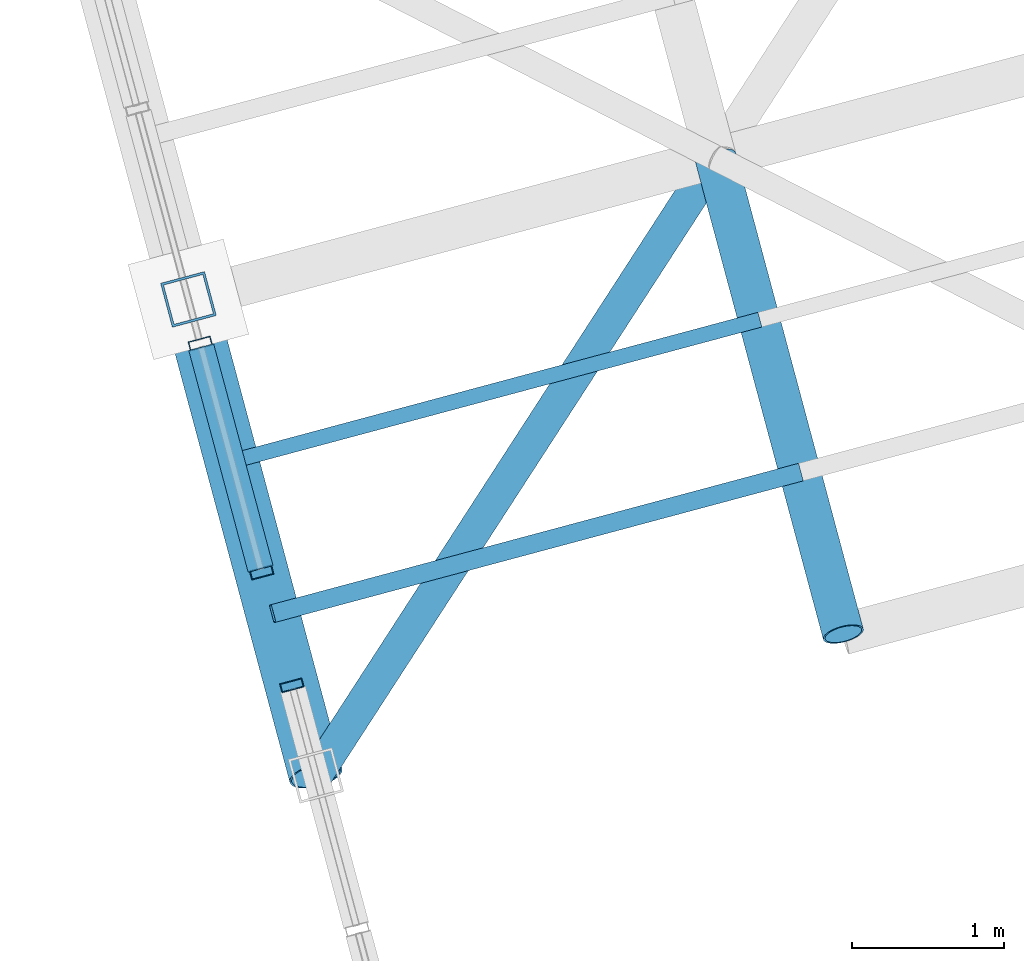
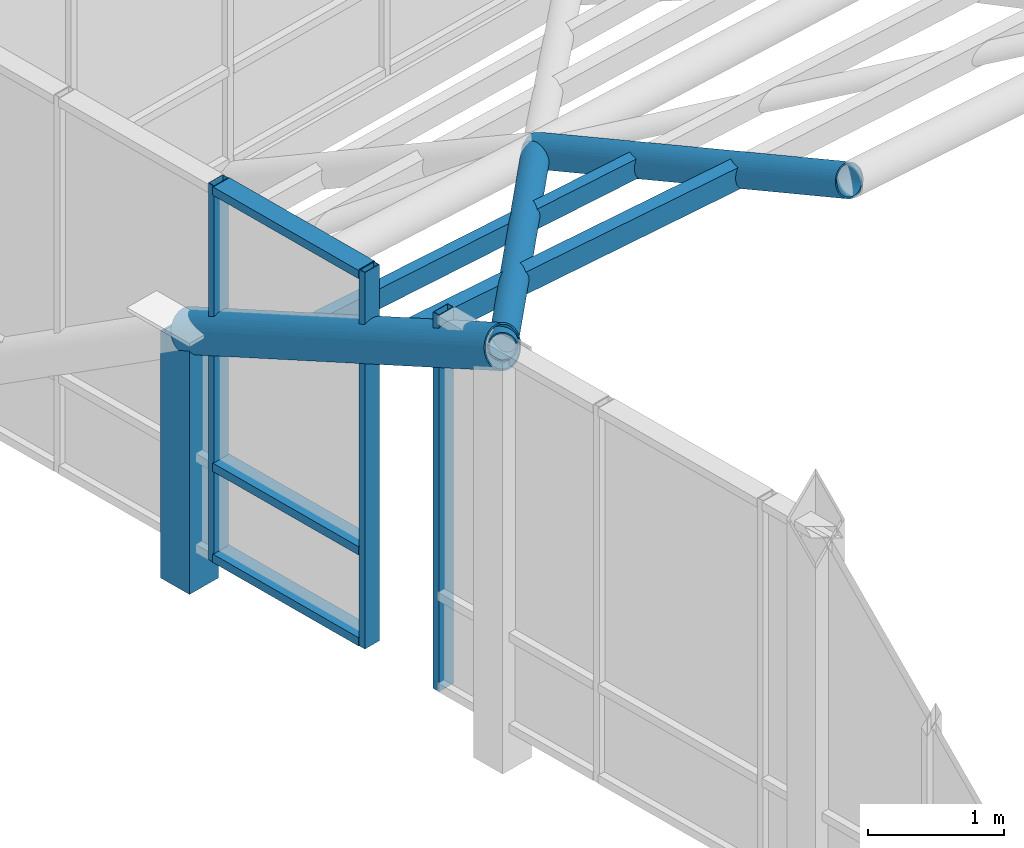
# One storey, part 8 of 29: 12 members, 2 elements without a shape of their own.
"""IFC4 building model written with IfcOpenShell, lengths in metres."""

from ifc_helpers import new_model, si_unit, direction, frame, origin, origin_2d, place, context, subcontext, project, spatial, hollow_rectangle, hollow_circle, extrude, material, layer, layer_set, material_profile, profile_set, type_object, element, aggregate, save


model = new_model("IFC4")

# Units and contexts
model_context = context("Model", 3, precision=1e-05, world=origin(), true_north=direction((0.0, 1.0)))
body_context = subcontext(model_context, "Body", "Model", "MODEL_VIEW")
ifc_project = project(units=[si_unit("LENGTHUNIT", "METRE"), si_unit("AREAUNIT", "SQUARE_METRE"), si_unit("VOLUMEUNIT", "CUBIC_METRE"), si_unit("PLANEANGLEUNIT", "RADIAN"), si_unit("MASSUNIT", "GRAM", prefix="KILO")], contexts=[model_context])

# Site, building, storey
site_placement = place(None, origin())
site = spatial("IfcSite", under=ifc_project, at=site_placement, CompositionType="ELEMENT")
building_placement = place(site_placement, origin())
building = spatial("IfcBuilding", under=site, at=building_placement, Name="Ventoquebrada Cableway Terminal", CompositionType="ELEMENT")
storey_placement = place(building_placement, frame((0.0, 0.0, 18.89990234375)))
storey = spatial("IfcBuildingStorey", under=building, at=storey_placement, Name="L04", CompositionType="ELEMENT", Elevation=18.89990234375)

# Members
ifc_material_1 = material(Name="Steel ASTM A500 Grade C", Category="steel")
ifc_material_profile_1 = material_profile(ifc_material_1, hollow_circle(Radius=0.109619140625, WallThickness=0.010009765625, at=origin_2d()), Name="CHS219.1X10")
ifc_profile_set_1 = profile_set([ifc_material_profile_1], Name="Steel ASTM A500 Grade C")
member_type_1 = type_object("IfcMemberType", Name="BRC-GS01", PredefinedType="BRACE", material=ifc_profile_set_1)
member_1_placement = place(storey_placement, frame((46.930908203125, 88.6201171875, 4.43017578125), z_axis=(0.515113137968, 0.795498422014, -0.319124921725), x_axis=(-0.839387776795, 0.543533035028, 0.0)))
element("IfcMember", 1, at=member_1_placement, inside=storey, type_object=member_type_1, Name="Saddle gridshell diagrid brace GBR-0211", PredefinedType="BRACE", context=body_context, shape_type="SweptSolid", body=[
    extrude(hollow_circle(Radius=0.109619140625, WallThickness=0.010009765625, at=origin_2d()), origin(), (0.0, 0.0, 1.0), 5.1171875),
])
ifc_material_profile_2 = material_profile(ifc_material_1, hollow_circle(Radius=0.177734375, WallThickness=0.012451171875, at=origin_2d()), Name="CHS355.6X12.5")
ifc_profile_set_2 = profile_set([ifc_material_profile_2], Name="Steel ASTM A500 Grade C")
member_type_2 = type_object("IfcMemberType", Name="CHD-GS01", PredefinedType="CHORD", material=ifc_profile_set_2)
member_2_placement = place(storey_placement, frame((46.930908203125, 88.6201171875, 4.43017578125), z_axis=(-0.235934891469, 0.880782491178, -0.410556853825), x_axis=(-0.965945033724, -0.258747351337, 0.0)))
element("IfcMember", 2, at=member_2_placement, inside=storey, type_object=member_type_2, Name="Saddle gridshell arch chord GCH-0021", PredefinedType="CHORD", context=body_context, shape_type="SweptSolid", body=[
    extrude(hollow_circle(Radius=0.177734375, WallThickness=0.012451171875, at=origin_2d()), origin(), (0.0, 0.0, 1.0), 3.563720703125),
])
ifc_material_profile_3 = material_profile(ifc_material_1, hollow_circle(Radius=0.136474609375, WallThickness=0.012451171875, at=origin_2d()), Name="CHS273.0X12.5")
ifc_profile_set_3 = profile_set([ifc_material_profile_3], Name="Steel ASTM A500 Grade C")
member_type_3 = type_object("IfcMemberType", Name="CHD-GS02", PredefinedType="CHORD", material=ifc_profile_set_3)
member_3_placement = place(storey_placement, frame((50.407958984375, 89.552001953125, 4.13818359375), z_axis=(-0.239245616629, 0.892882697532, -0.381473489737), x_axis=(-0.965926253902, -0.258817449225, 0.0)))
element("IfcMember", 3, at=member_3_placement, inside=storey, type_object=member_type_3, Name="Saddle gridshell arch chord GCH-0029", PredefinedType="CHORD", context=body_context, shape_type="SweptSolid", body=[
    extrude(hollow_circle(Radius=0.136474609375, WallThickness=0.012451171875, at=origin_2d()), origin(), (0.0, 0.0, 1.0), 3.515380859375),
])

# Curtain wall, member
ifc_material_2 = material(Name="Anodized thermally-broken aluminium", Category="aluminium")
ifc_layer_1 = layer(ifc_material_2, 0.159912109375)
ifc_layer_set_1 = layer_set([ifc_layer_1], Name="Anodized thermally-broken aluminium")
curtain_wall_type_1 = type_object("IfcCurtainWallType", Name="CW-T47", PredefinedType="USERDEFINED", material=ifc_layer_set_1)
curtain_wall_1_placement = place(storey_placement, origin())
curtain_wall_1 = element("IfcCurtainWall", 4, at=curtain_wall_1_placement, inside=storey, type_object=curtain_wall_type_1, Name="Unitised glazed curtain wall CW-145", ObjectType="UNITISED CURTAIN WALL", PredefinedType="USERDEFINED")
ifc_material_profile_4 = material_profile(ifc_material_2, hollow_rectangle(XDim=0.06005859375, YDim=0.14990234375, WallThickness=0.00390625, at=origin_2d()), Name="CW-MUL-60X150")
ifc_profile_set_4 = profile_set([ifc_material_profile_4], Name="Anodized thermally-broken aluminium")
member_type_4 = type_object("IfcMemberType", Name="CWM-03", PredefinedType="MULLION", material=ifc_profile_set_4)
member_4_placement = place(storey_placement, frame((46.77197265625, 89.214111328125, 1.087158203125), z_axis=(0.0, 0.0, 1.0), x_axis=(0.258802186477, -0.965930343386, 0.0)))
member_4 = element("IfcMember", 5, at=member_4_placement, type_object=member_type_4, Name="Curtain wall mullion FML-0705", PredefinedType="MULLION", context=body_context, shape_type="SweptSolid", body=[
    extrude(hollow_rectangle(XDim=0.06005859375, YDim=0.14990234375, WallThickness=0.00390625, at=origin_2d()), origin(), (0.0, 0.0, 1.0), 3.373046875),
])
aggregate(curtain_wall_1, [member_4])

# Curtain wall, members
ifc_layer_2 = layer(ifc_material_2, 0.159912109375)
ifc_layer_set_2 = layer_set([ifc_layer_2], Name="Anodized thermally-broken aluminium")
curtain_wall_type_2 = type_object("IfcCurtainWallType", Name="CW-T46", PredefinedType="USERDEFINED", material=ifc_layer_set_2)
curtain_wall_2_placement = place(storey_placement, origin())
curtain_wall_2 = element("IfcCurtainWall", 6, at=curtain_wall_2_placement, inside=storey, type_object=curtain_wall_type_2, Name="Unitised glazed curtain wall CW-146", ObjectType="UNITISED CURTAIN WALL", PredefinedType="USERDEFINED")
member_5_placement = place(storey_placement, frame((46.16796875, 91.468994140625, 1.087158203125), z_axis=(0.0, 0.0, 1.0), x_axis=(0.258970769183, -0.965885159172, 0.0)))
member_5 = element("IfcMember", 7, at=member_5_placement, type_object=member_type_4, Name="Curtain wall mullion FML-0712", PredefinedType="MULLION", context=body_context, shape_type="SweptSolid", body=[
    extrude(hollow_rectangle(XDim=0.06005859375, YDim=0.14990234375, WallThickness=0.00390625, at=origin_2d()), origin(), (0.0, 0.0, 1.0), 3.373046875),
])
member_6_placement = place(storey_placement, frame((46.572998046875, 89.9580078125, 1.087158203125), z_axis=(0.0, 0.0, 1.0), x_axis=(0.258970769183, -0.965885159172, 0.0)))
member_6 = element("IfcMember", 8, at=member_6_placement, type_object=member_type_4, Name="Curtain wall mullion FML-0713", PredefinedType="MULLION", context=body_context, shape_type="SweptSolid", body=[
    extrude(hollow_rectangle(XDim=0.06005859375, YDim=0.14990234375, WallThickness=0.00390625, at=origin_2d()), origin(), (0.0, 0.0, 1.0), 3.373046875),
])
ifc_material_profile_5 = material_profile(ifc_material_2, hollow_rectangle(XDim=0.074951171875, YDim=0.169921875, WallThickness=0.00439453125, at=origin_2d()), Name="CW-TRN-75X170")
ifc_profile_set_5 = profile_set([ifc_material_profile_5], Name="Anodized thermally-broken aluminium")
member_type_5 = type_object("IfcMemberType", Name="CWT-03", PredefinedType="USERDEFINED", material=ifc_profile_set_5)
member_7_placement = place(storey_placement, frame((46.174072265625, 91.445068359375, 1.130126953125), z_axis=(0.258695801692, -0.965958840835, 0.0), x_axis=(0.0, 0.0, 1.0)))
member_7 = element("IfcMember", 9, at=member_7_placement, type_object=member_type_5, Name="Curtain wall transom FTR-2079", ObjectType="TRANSOM", PredefinedType="USERDEFINED", context=body_context, shape_type="SweptSolid", body=[
    extrude(hollow_rectangle(XDim=0.074951171875, YDim=0.169921875, WallThickness=0.00439453125, at=origin_2d()), origin(), (0.0, 0.0, 1.0), 1.5146484375),
])
member_8_placement = place(storey_placement, frame((46.174072265625, 91.445068359375, 1.945068359375), z_axis=(0.258695801692, -0.965958840835, 0.0), x_axis=(0.0, 0.0, 1.0)))
member_8 = element("IfcMember", 10, at=member_8_placement, type_object=member_type_5, Name="Curtain wall transom FTR-2080", ObjectType="TRANSOM", PredefinedType="USERDEFINED", context=body_context, shape_type="SweptSolid", body=[
    extrude(hollow_rectangle(XDim=0.074951171875, YDim=0.169921875, WallThickness=0.00439453125, at=origin_2d()), origin(), (0.0, 0.0, 1.0), 1.5146484375),
])
member_9_placement = place(storey_placement, frame((46.174072265625, 91.445068359375, 4.420166015625), z_axis=(0.258695801692, -0.965958840835, 0.0), x_axis=(0.0, 0.0, 1.0)))
member_9 = element("IfcMember", 11, at=member_9_placement, type_object=member_type_5, Name="Curtain wall transom FTR-2081", ObjectType="TRANSOM", PredefinedType="USERDEFINED", context=body_context, shape_type="SweptSolid", body=[
    extrude(hollow_rectangle(XDim=0.074951171875, YDim=0.169921875, WallThickness=0.00439453125, at=origin_2d()), origin(), (0.0, 0.0, 1.0), 1.5146484375),
])
aggregate(curtain_wall_2, [member_5, member_6, member_7, member_8, member_9])

# Members
ifc_material_profile_6 = material_profile(ifc_material_1, hollow_rectangle(XDim=0.1201171875, YDim=0.199951171875, WallThickness=0.008056640625, at=origin_2d()), Name="RHS200X120X8")
ifc_profile_set_6 = profile_set([ifc_material_profile_6], Name="Steel ASTM A500 Grade C")
member_type_6 = type_object("IfcMemberType", Name="PUR-RF01", PredefinedType="PURLIN", material=ifc_profile_set_6)
member_10_placement = place(storey_placement, frame((46.64501953125, 89.68701171875, 3.93310546875), z_axis=(0.963572029425, 0.258247046504, -0.069551470738), x_axis=(-0.258873944891, 0.965911114263, 0.0)))
element("IfcMember", 12, at=member_10_placement, inside=storey, type_object=member_type_6, Name="Gridshell secondary roof purlin GPR-0212", PredefinedType="PURLIN", context=body_context, shape_type="SweptSolid", body=[
    extrude(hollow_rectangle(XDim=0.1201171875, YDim=0.199951171875, WallThickness=0.008056640625, at=origin_2d()), origin(), (0.0, 0.0, 1.0), 3.6083984375),
])
ifc_material_profile_7 = material_profile(ifc_material_1, hollow_rectangle(XDim=0.10009765625, YDim=0.179931640625, WallThickness=0.008056640625, at=origin_2d()), Name="RHS180X100X8")
ifc_profile_set_7 = profile_set([ifc_material_profile_7], Name="Steel ASTM A500 Grade C")
member_type_7 = type_object("IfcMemberType", Name="PUR-RF02", PredefinedType="PURLIN", material=ifc_profile_set_7)
member_11_placement = place(storey_placement, frame((46.3759765625, 90.69189453125, 3.464111328125), z_axis=(0.96424018426, 0.258493822743, -0.058496244853), x_axis=(-0.258937219442, 0.965894153822, 0.0)))
element("IfcMember", 13, at=member_11_placement, inside=storey, type_object=member_type_7, Name="Gridshell secondary roof purlin GPR-0213", PredefinedType="PURLIN", context=body_context, shape_type="SweptSolid", body=[
    extrude(hollow_rectangle(XDim=0.10009765625, YDim=0.179931640625, WallThickness=0.008056640625, at=origin_2d()), origin(), (0.0, 0.0, 1.0), 3.60595703125),
])
ifc_material_profile_8 = material_profile(ifc_material_1, hollow_rectangle(XDim=0.300048828125, YDim=0.300048828125, WallThickness=0.01611328125, at=origin_2d()), Name="HSS300X300X16")
ifc_profile_set_8 = profile_set([ifc_material_profile_8], Name="Steel ASTM A500 Grade C")
member_type_8 = type_object("IfcMemberType", Name="STR-VS01", PredefinedType="STRUT", material=ifc_profile_set_8)
member_12_placement = place(storey_placement, frame((46.090087890625, 91.759033203125, 0.75), z_axis=(0.0, 0.0, 1.0), x_axis=(0.965925826289, 0.258819045103, 0.0)))
element("IfcMember", 14, at=member_12_placement, inside=storey, type_object=member_type_8, Name="Saddle gridshell portal strut GS-ST-0007", PredefinedType="STRUT", context=body_context, shape_type="SweptSolid", body=[
    extrude(hollow_rectangle(XDim=0.300048828125, YDim=0.300048828125, WallThickness=0.01611328125, at=origin_2d()), origin(), (0.0, 0.0, 1.0), 2.217041015625),
])

save(model, "model.ifc")
